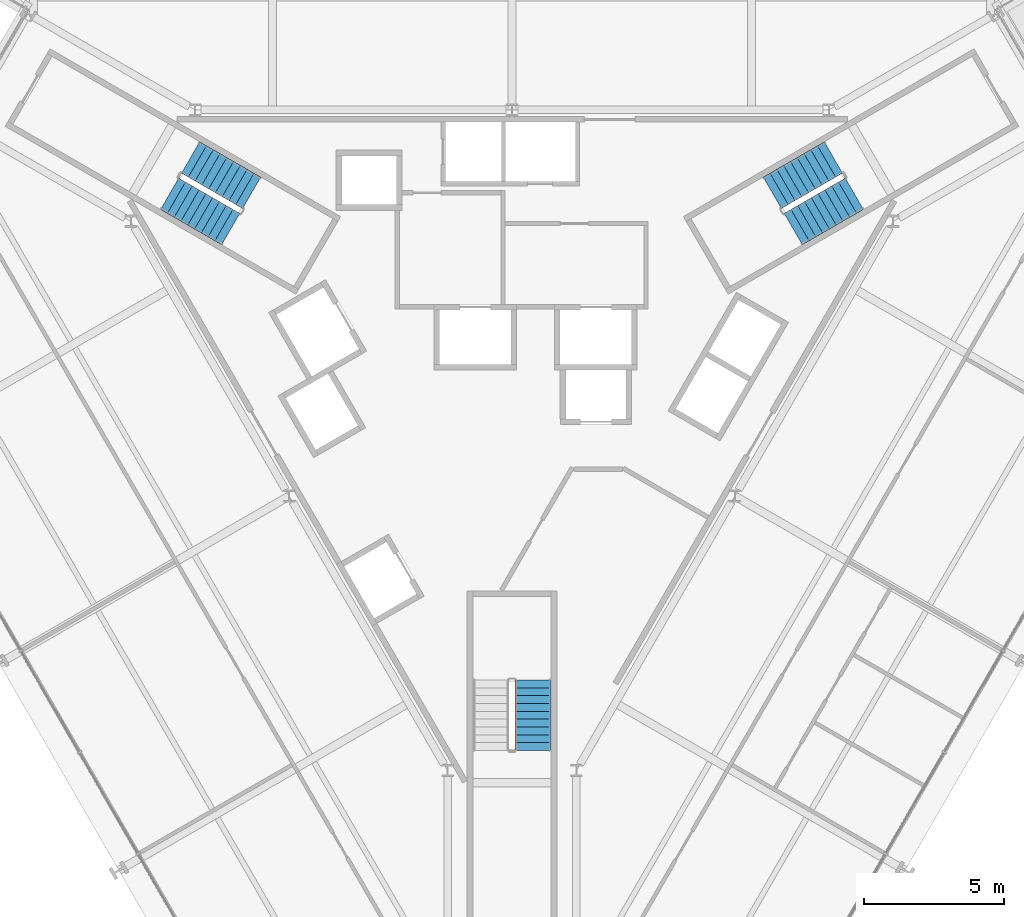
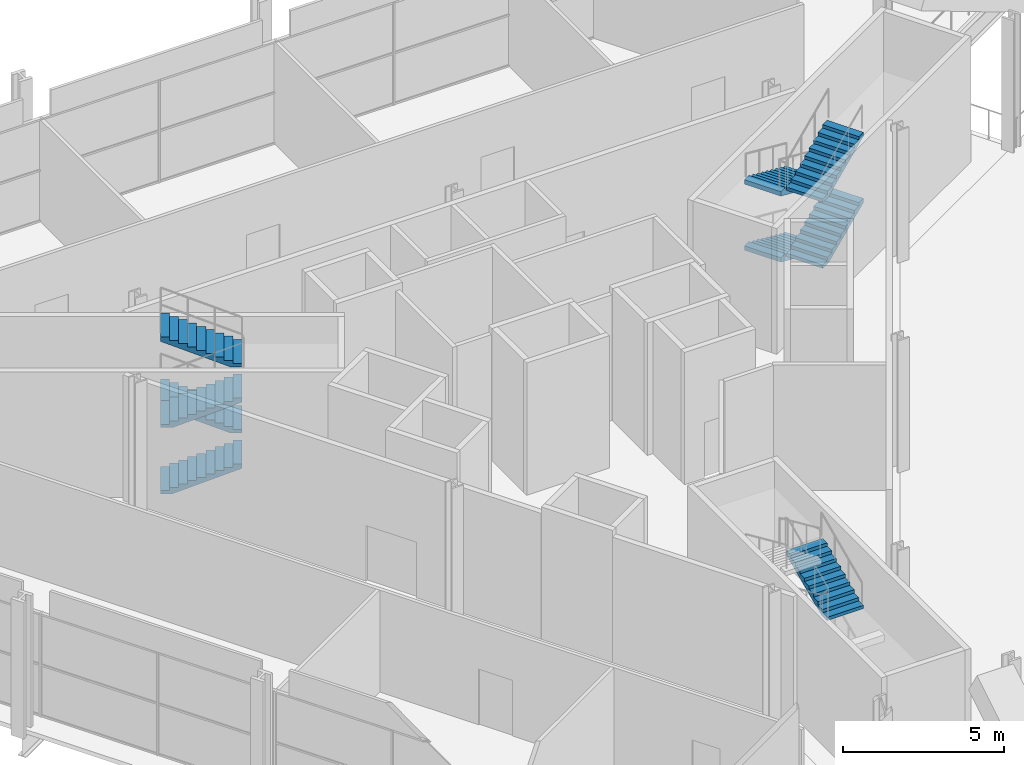
# One storey, part 15 of 20: 9 stair flights, 3 elements without a shape of their own.
"""IFC4 building model written with IfcOpenShell, lengths in metres."""

from ifc_helpers import new_model, si_unit, direction, frame, origin, place, context, subcontext, project, spatial, polyline, outline, extrude, material, type_object, element, aggregate, save


model = new_model("IFC4")

# Units and contexts
model_context = context("Model", 3, precision=1e-05, world=origin(), true_north=direction((0.0, 1.0)))
body_context = subcontext(model_context, "Body", "Model", "MODEL_VIEW")
ifc_project = project(units=[si_unit("LENGTHUNIT", "METRE"), si_unit("AREAUNIT", "SQUARE_METRE"), si_unit("VOLUMEUNIT", "CUBIC_METRE"), si_unit("PLANEANGLEUNIT", "RADIAN"), si_unit("MASSUNIT", "GRAM", prefix="KILO")], contexts=[model_context])

# Site, building, storey
site_placement = place(None, origin())
site = spatial("IfcSite", under=ifc_project, at=site_placement, CompositionType="ELEMENT")
building_placement = place(site_placement, origin())
building = spatial("IfcBuilding", under=site, at=building_placement, Name="Verrane Prism Tower", CompositionType="ELEMENT")
storey_placement = place(building_placement, frame((0.0, 0.0, 17.39990234375)))
storey = spatial("IfcBuildingStorey", under=building, at=storey_placement, Name="L02", CompositionType="ELEMENT", Elevation=17.39990234375)

# Stair, stair flights
ifc_material_1 = material(Name="Concrete C40/50", Category="concrete")
stair_type = type_object("IfcStairType", Name="Exit stair 1300 dog-leg precast concrete C40/50", PredefinedType="HALF_TURN_STAIR", material=ifc_material_1)
stair_1_placement = place(storey_placement, origin())
stair_1 = element("IfcStair", 1, at=stair_1_placement, inside=storey, type_object=stair_type, Name="Stair 1 L02", PredefinedType="HALF_TURN_STAIR")
ifc_material_2 = material(Name="Concrete C40/50", Category="concrete")
stair_flight_type = type_object("IfcStairFlightType", Name="Stair flight 1300 precast concrete C40/50", PredefinedType="STRAIGHT", material=ifc_material_2)
stair_flight_1_placement = place(storey_placement, frame((11.489501953125, 7.49951171875, 0.0), z_axis=(0.0, 0.0, 1.0), x_axis=(-0.866025403784, -0.5, 0.0)))
stair_flight_1 = element("IfcStairFlight", 2, at=stair_flight_1_placement, type_object=stair_flight_type, Name="Stair 1 flight 1", NumberOfRisers=10, NumberOfTreads=9, PredefinedType="STRAIGHT", RiserHeight=0.125, TreadLength=0.28, context=body_context, shape_type="SweptSolid", body=[
    extrude(outline(polyline([(0.0, 0.0), (0.0, 0.125), (0.280029296875, 0.125), (0.280029296875, 0.25), (0.56005859375, 0.25), (0.56005859375, 0.375), (0.840087890625, 0.375), (0.840087890625, 0.5), (1.1201171875, 0.5), (1.1201171875, 0.625), (1.39990234375, 0.625), (1.39990234375, 0.75), (1.679931640625, 0.75), (1.679931640625, 0.875), (1.9599609375, 0.875), (1.9599609375, 1.0), (2.239990234375, 1.0), (2.239990234375, 1.125), (2.52001953125, 1.125), (2.52001953125, 1.25), (2.52001953125, 0.9609375), (0.36767578125, 0.0), (0.0, 0.0)])), frame((0.0, 0.64990234375, 0.0), z_axis=(0.0, -1.0, 0.0), x_axis=(1.0, 0.0, 0.0)), (0.0, 0.0, 1.0), 1.300048828125),
])
stair_flight_2_placement = place(storey_placement, frame((10.05712890625, 4.9404296875, 1.25), z_axis=(0.0, 0.0, 1.0), x_axis=(0.866025403784, 0.5, 0.0)))
stair_flight_2 = element("IfcStairFlight", 3, at=stair_flight_2_placement, type_object=stair_flight_type, Name="Stair 1 flight 2", NumberOfRisers=10, NumberOfTreads=9, PredefinedType="STRAIGHT", RiserHeight=0.125, TreadLength=0.28, context=body_context, shape_type="SweptSolid", body=[
    extrude(outline(polyline([(0.0, 0.0), (0.0, 0.125), (0.280029296875, 0.125), (0.280029296875, 0.25), (0.56005859375, 0.25), (0.56005859375, 0.375), (0.840087890625, 0.375), (0.840087890625, 0.5), (1.1201171875, 0.5), (1.1201171875, 0.625), (1.39990234375, 0.625), (1.39990234375, 0.75), (1.679931640625, 0.75), (1.679931640625, 0.875), (1.9599609375, 0.875), (1.9599609375, 1.0), (2.239990234375, 1.0), (2.239990234375, 1.125), (2.52001953125, 1.125), (2.52001953125, 1.25), (2.52001953125, 0.9609375), (0.36767578125, 0.0), (0.0, 0.0)])), frame((0.0, 0.64990234375, 0.0), z_axis=(0.0, -1.0, 0.0), x_axis=(1.0, 0.0, 0.0)), (0.0, 0.0, 1.0), 1.300048828125),
])
stair_flight_3_placement = place(storey_placement, frame((11.489501953125, 7.49951171875, 2.5), z_axis=(0.0, 0.0, 1.0), x_axis=(-0.866025403784, -0.5, 0.0)))
stair_flight_3 = element("IfcStairFlight", 4, at=stair_flight_3_placement, type_object=stair_flight_type, Name="Stair 1 flight 3", NumberOfRisers=10, NumberOfTreads=9, PredefinedType="STRAIGHT", RiserHeight=0.125, TreadLength=0.28, context=body_context, shape_type="SweptSolid", body=[
    extrude(outline(polyline([(0.0, 0.0), (0.0, 0.125), (0.280029296875, 0.125), (0.280029296875, 0.25), (0.56005859375, 0.25), (0.56005859375, 0.375), (0.840087890625, 0.375), (0.840087890625, 0.5), (1.1201171875, 0.5), (1.1201171875, 0.625), (1.39990234375, 0.625), (1.39990234375, 0.75), (1.679931640625, 0.75), (1.679931640625, 0.875), (1.9599609375, 0.875), (1.9599609375, 1.0), (2.239990234375, 1.0), (2.239990234375, 1.125), (2.52001953125, 1.125), (2.52001953125, 1.25), (2.52001953125, 0.9609375), (0.36767578125, 0.0), (0.0, 0.0)])), frame((0.0, 0.64990234375, 0.0), z_axis=(0.0, -1.0, 0.0), x_axis=(1.0, 0.0, 0.0)), (0.0, 0.0, 1.0), 1.300048828125),
])
stair_flight_4_placement = place(storey_placement, frame((10.05712890625, 4.9404296875, 3.75), z_axis=(0.0, 0.0, 1.0), x_axis=(0.866025403784, 0.5, 0.0)))
stair_flight_4 = element("IfcStairFlight", 5, at=stair_flight_4_placement, type_object=stair_flight_type, Name="Stair 1 flight 4", NumberOfRisers=10, NumberOfTreads=9, PredefinedType="STRAIGHT", RiserHeight=0.125, TreadLength=0.28, context=body_context, shape_type="SweptSolid", body=[
    extrude(outline(polyline([(0.0, 0.0), (0.0, 0.125), (0.280029296875, 0.125), (0.280029296875, 0.25), (0.56005859375, 0.25), (0.56005859375, 0.375), (0.840087890625, 0.375), (0.840087890625, 0.5), (1.1201171875, 0.5), (1.1201171875, 0.625), (1.39990234375, 0.625), (1.39990234375, 0.75), (1.679931640625, 0.75), (1.679931640625, 0.875), (1.9599609375, 0.875), (1.9599609375, 1.0), (2.239990234375, 1.0), (2.239990234375, 1.125), (2.52001953125, 1.125), (2.52001953125, 1.25), (2.52001953125, 0.9609375), (0.36767578125, 0.0), (0.0, 0.0)])), frame((0.0, 0.64990234375, 0.0), z_axis=(0.0, -1.0, 0.0), x_axis=(1.0, 0.0, 0.0)), (0.0, 0.0, 1.0), 1.300048828125),
])
aggregate(stair_1, [stair_flight_1, stair_flight_2, stair_flight_3, stair_flight_4])

stair_2_placement = place(storey_placement, origin())
stair_2 = element("IfcStair", 6, at=stair_2_placement, inside=storey, type_object=stair_type, Name="Stair 2 L02", PredefinedType="HALF_TURN_STAIR")
stair_flight_5_placement = place(storey_placement, frame((-12.239501953125, 6.200439453125, 0.0), z_axis=(0.0, 0.0, 1.0), x_axis=(0.866025403784, -0.5, 0.0)))
stair_flight_5 = element("IfcStairFlight", 7, at=stair_flight_5_placement, type_object=stair_flight_type, Name="Stair 2 flight 1", NumberOfRisers=10, NumberOfTreads=9, PredefinedType="STRAIGHT", RiserHeight=0.125, TreadLength=0.28, context=body_context, shape_type="SweptSolid", body=[
    extrude(outline(polyline([(0.0, 0.0), (0.0, 0.125), (0.280029296875, 0.125), (0.280029296875, 0.25), (0.56005859375, 0.25), (0.56005859375, 0.375), (0.840087890625, 0.375), (0.840087890625, 0.5), (1.1201171875, 0.5), (1.1201171875, 0.625), (1.39990234375, 0.625), (1.39990234375, 0.75), (1.679931640625, 0.75), (1.679931640625, 0.875), (1.9599609375, 0.875), (1.9599609375, 1.0), (2.239990234375, 1.0), (2.239990234375, 1.125), (2.52001953125, 1.125), (2.52001953125, 1.25), (2.52001953125, 0.9609375), (0.36767578125, 0.0), (0.0, 0.0)])), frame((0.0, 0.64990234375, 0.0), z_axis=(0.0, -1.0, 0.0), x_axis=(1.0, 0.0, 0.0)), (0.0, 0.0, 1.0), 1.300048828125),
])
stair_flight_6_placement = place(storey_placement, frame((-9.30712890625, 6.239501953125, 1.25), z_axis=(0.0, 0.0, 1.0), x_axis=(-0.866025403784, 0.5, 0.0)))
stair_flight_6 = element("IfcStairFlight", 8, at=stair_flight_6_placement, type_object=stair_flight_type, Name="Stair 2 flight 2", NumberOfRisers=10, NumberOfTreads=9, PredefinedType="STRAIGHT", RiserHeight=0.125, TreadLength=0.28, context=body_context, shape_type="SweptSolid", body=[
    extrude(outline(polyline([(0.0, 0.0), (0.0, 0.125), (0.280029296875, 0.125), (0.280029296875, 0.25), (0.56005859375, 0.25), (0.56005859375, 0.375), (0.840087890625, 0.375), (0.840087890625, 0.5), (1.1201171875, 0.5), (1.1201171875, 0.625), (1.39990234375, 0.625), (1.39990234375, 0.75), (1.679931640625, 0.75), (1.679931640625, 0.875), (1.9599609375, 0.875), (1.9599609375, 1.0), (2.239990234375, 1.0), (2.239990234375, 1.125), (2.52001953125, 1.125), (2.52001953125, 1.25), (2.52001953125, 0.9609375), (0.36767578125, 0.0), (0.0, 0.0)])), frame((0.0, 0.64990234375, 0.0), z_axis=(0.0, -1.0, 0.0), x_axis=(1.0, 0.0, 0.0)), (0.0, 0.0, 1.0), 1.300048828125),
])
stair_flight_7_placement = place(storey_placement, frame((-12.239501953125, 6.200439453125, 2.5), z_axis=(0.0, 0.0, 1.0), x_axis=(0.866025403784, -0.5, 0.0)))
stair_flight_7 = element("IfcStairFlight", 9, at=stair_flight_7_placement, type_object=stair_flight_type, Name="Stair 2 flight 3", NumberOfRisers=10, NumberOfTreads=9, PredefinedType="STRAIGHT", RiserHeight=0.125, TreadLength=0.28, context=body_context, shape_type="SweptSolid", body=[
    extrude(outline(polyline([(0.0, 0.0), (0.0, 0.125), (0.280029296875, 0.125), (0.280029296875, 0.25), (0.56005859375, 0.25), (0.56005859375, 0.375), (0.840087890625, 0.375), (0.840087890625, 0.5), (1.1201171875, 0.5), (1.1201171875, 0.625), (1.39990234375, 0.625), (1.39990234375, 0.75), (1.679931640625, 0.75), (1.679931640625, 0.875), (1.9599609375, 0.875), (1.9599609375, 1.0), (2.239990234375, 1.0), (2.239990234375, 1.125), (2.52001953125, 1.125), (2.52001953125, 1.25), (2.52001953125, 0.9609375), (0.36767578125, 0.0), (0.0, 0.0)])), frame((0.0, 0.64990234375, 0.0), z_axis=(0.0, -1.0, 0.0), x_axis=(1.0, 0.0, 0.0)), (0.0, 0.0, 1.0), 1.300048828125),
])
stair_flight_8_placement = place(storey_placement, frame((-9.30712890625, 6.239501953125, 3.75), z_axis=(0.0, 0.0, 1.0), x_axis=(-0.866025403784, 0.5, 0.0)))
stair_flight_8 = element("IfcStairFlight", 10, at=stair_flight_8_placement, type_object=stair_flight_type, Name="Stair 2 flight 4", NumberOfRisers=10, NumberOfTreads=9, PredefinedType="STRAIGHT", RiserHeight=0.125, TreadLength=0.28, context=body_context, shape_type="SweptSolid", body=[
    extrude(outline(polyline([(0.0, 0.0), (0.0, 0.125), (0.280029296875, 0.125), (0.280029296875, 0.25), (0.56005859375, 0.25), (0.56005859375, 0.375), (0.840087890625, 0.375), (0.840087890625, 0.5), (1.1201171875, 0.5), (1.1201171875, 0.625), (1.39990234375, 0.625), (1.39990234375, 0.75), (1.679931640625, 0.75), (1.679931640625, 0.875), (1.9599609375, 0.875), (1.9599609375, 1.0), (2.239990234375, 1.0), (2.239990234375, 1.125), (2.52001953125, 1.125), (2.52001953125, 1.25), (2.52001953125, 0.9609375), (0.36767578125, 0.0), (0.0, 0.0)])), frame((0.0, 0.64990234375, 0.0), z_axis=(0.0, -1.0, 0.0), x_axis=(1.0, 0.0, 0.0)), (0.0, 0.0, 1.0), 1.300048828125),
])
aggregate(stair_2, [stair_flight_5, stair_flight_6, stair_flight_7, stair_flight_8])

# Stair, stair flight
stair_3_placement = place(storey_placement, origin())
stair_3 = element("IfcStair", 11, at=stair_3_placement, inside=storey, type_object=stair_type, Name="Stair 3 L02", PredefinedType="HALF_TURN_STAIR")
stair_flight_9_placement = place(storey_placement, frame((0.75, -13.699951171875, 2.5), z_axis=(0.0, 0.0, 1.0), x_axis=(0.0, 1.0, 0.0)))
stair_flight_9 = element("IfcStairFlight", 12, at=stair_flight_9_placement, type_object=stair_flight_type, Name="Stair 3 flight 3", NumberOfRisers=10, NumberOfTreads=9, PredefinedType="STRAIGHT", RiserHeight=0.125, TreadLength=0.28, context=body_context, shape_type="SweptSolid", body=[
    extrude(outline(polyline([(0.0, 0.0), (0.0, 0.125), (0.280029296875, 0.125), (0.280029296875, 0.25), (0.56005859375, 0.25), (0.56005859375, 0.375), (0.840087890625, 0.375), (0.840087890625, 0.5), (1.1201171875, 0.5), (1.1201171875, 0.625), (1.39990234375, 0.625), (1.39990234375, 0.75), (1.679931640625, 0.75), (1.679931640625, 0.875), (1.9599609375, 0.875), (1.9599609375, 1.0), (2.239990234375, 1.0), (2.239990234375, 1.125), (2.52001953125, 1.125), (2.52001953125, 1.25), (2.52001953125, 0.9609375), (0.36767578125, 0.0), (0.0, 0.0)])), frame((0.0, 0.64990234375, 0.0), z_axis=(0.0, -1.0, 0.0), x_axis=(1.0, 0.0, 0.0)), (0.0, 0.0, 1.0), 1.300048828125),
])
aggregate(stair_3, [stair_flight_9])

save(model, "model.ifc")
